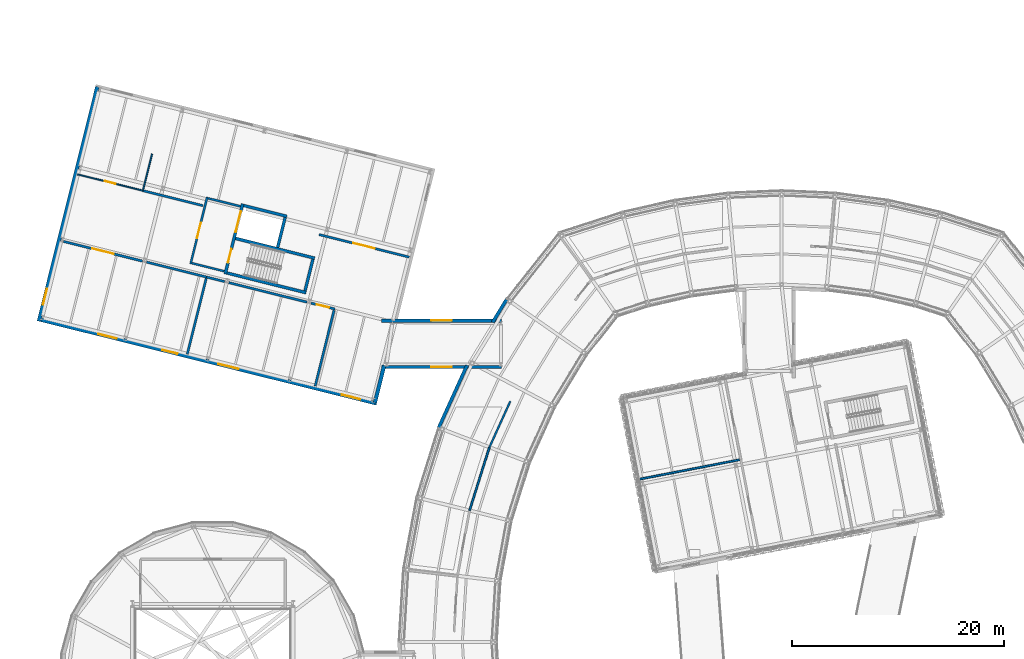
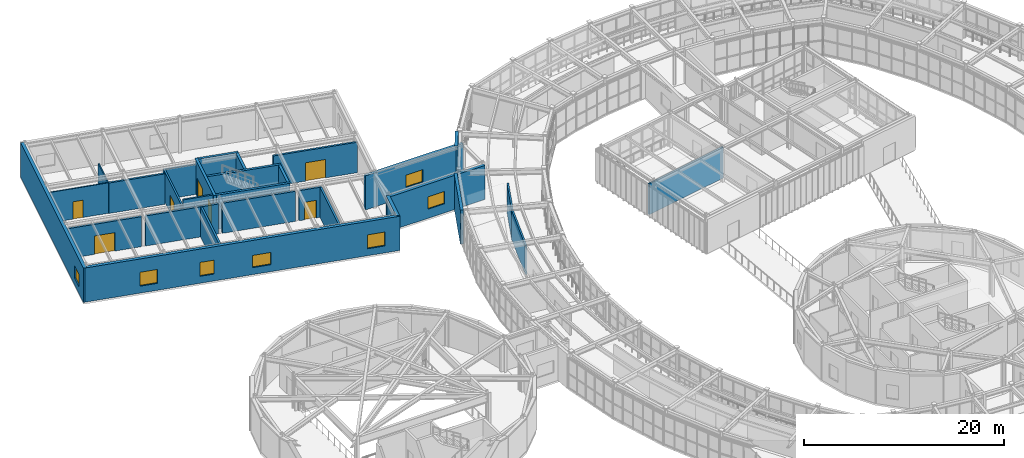
# One storey, part 79 of 103: 30 walls, 7 doors, 7 windows, 14 openings.
"""IFC4 building model written with IfcOpenShell, lengths in metres."""

from ifc_helpers import new_model, si_unit, direction, frame, frame_2d, origin, place, context, subcontext, project, spatial, rectangle, extrude, material, layer, layer_set, type_object, element, fill, save


model = new_model("IFC4")

# Units and contexts
model_context = context("Model", 3, precision=1e-05, world=origin(), true_north=direction((0.0, 1.0)))
body_context = subcontext(model_context, "Body", "Model", "MODEL_VIEW")
ifc_project = project(units=[si_unit("LENGTHUNIT", "METRE"), si_unit("AREAUNIT", "SQUARE_METRE"), si_unit("VOLUMEUNIT", "CUBIC_METRE"), si_unit("PLANEANGLEUNIT", "RADIAN"), si_unit("MASSUNIT", "GRAM", prefix="KILO")], contexts=[model_context])

# Site, building, storey
site_placement = place(None, origin())
site = spatial("IfcSite", under=ifc_project, at=site_placement, CompositionType="ELEMENT")
building_placement = place(site_placement, origin())
building = spatial("IfcBuilding", under=site, at=building_placement, Name="Varnklinge Art Gallery", CompositionType="ELEMENT")
storey_placement = place(building_placement, frame((0.0, 0.0, 5.10009765625)))
storey = spatial("IfcBuildingStorey", under=building, at=storey_placement, Name="L01", CompositionType="ELEMENT", Elevation=5.10009765625)

# Walls
ifc_material_1 = material(Name="Precast concrete C40/50", Category="concrete")
ifc_layer_1 = layer(ifc_material_1, 0.320068359375)
ifc_layer_set_1 = layer_set([ifc_layer_1], Name="Precast concrete C40/50")
wall_type_1 = type_object("IfcWallType", Name="EW-32", PredefinedType="SOLIDWALL", material=ifc_layer_set_1)
wall_1_placement = place(storey_placement, frame((48.223388671875, 85.179931640625, 0.0), z_axis=(0.0, 0.0, 1.0), x_axis=(0.520931481082, 0.853598495792, 0.0)))
element("IfcWall", 1, at=wall_1_placement, inside=storey, type_object=wall_type_1, Name="EW-V2O-L01-K21-1", PredefinedType="SOLIDWALL", context=body_context, shape_type="SweptSolid", body=[
    extrude(rectangle(XDim=2.571533203125, YDim=0.320068359375, at=frame_2d((1.28564453125, 0.0))), origin(), (0.0, 0.0, 1.0), 4.179931640625),
])
wall_2_placement = place(storey_placement, frame((43.126708984375, 75.22216796875, 0.0), z_axis=(0.0, 0.0, 1.0), x_axis=(0.41336840626, 0.910563869647, 0.0)))
element("IfcWall", 2, at=wall_2_placement, inside=storey, type_object=wall_type_1, Name="EW-V2O-L01-K22-1", PredefinedType="SOLIDWALL", context=body_context, shape_type="SweptSolid", body=[
    extrude(rectangle(XDim=6.477294921875, YDim=0.320068359375, at=frame_2d((3.23876953125, 0.0))), origin(), (0.0, 0.0, 1.0), 4.179931640625),
])

# Wall, opening, window
wall_3_placement = place(storey_placement, frame((49.050048828125, 80.9599609375, 0.0), z_axis=(0.0, 0.0, 1.0), x_axis=(-1.0, 0.0, 0.0)))
wall_3 = element("IfcWall", 3, at=wall_3_placement, inside=storey, type_object=wall_type_1, Name="L01 Gallery Link Wall EW-LNK-V5-L01-S", PredefinedType="SOLIDWALL", context=body_context, shape_type="SweptSolid", body=[
    extrude(rectangle(XDim=11.31201171875, YDim=0.320068359375, at=frame_2d((5.656005859375, 0.0))), origin(), (0.0, 0.0, 1.0), 4.169921875),
])
opening_1_placement = place(wall_3_placement, frame((4.680908203125, 0.0, 1.1201171875)))
opening_1 = element("IfcOpeningElement", 4, at=opening_1_placement, cuts=wall_3, Name="Opening WN-05", PredefinedType="OPENING", context=body_context, shape_type="SweptSolid", body=[
    extrude(rectangle(XDim=1.949951171875, YDim=1.5, at=frame_2d((0.97509765625, 0.75))), frame((0.0, 0.170166015625, 0.0), z_axis=(0.0, -1.0, 0.0), x_axis=(1.0, 0.0, 0.0)), (0.0, 0.0, 1.0), 0.340087890625),
])
ifc_material_2 = material(Name="Insulated Low-E Triple Glazing", Category="glass")
window_type_1 = type_object("IfcWindowType", Name="WN-05", PartitioningType="SINGLE_PANEL", PredefinedType="WINDOW", material=ifc_material_2)
window_1_placement = place(opening_1_placement, origin())
window_1 = element("IfcWindow", 5, at=window_1_placement, inside=storey, type_object=window_type_1, Name="L01 Window WIN-L01-231", OverallHeight=1.5, OverallWidth=1.949951171875, PartitioningType="SINGLE_PANEL", PredefinedType="WINDOW", context=body_context, shape_type="SweptSolid", body=[
    extrude(rectangle(XDim=1.949951171875, YDim=1.5, at=frame_2d((0.97509765625, 0.75))), frame((0.0, 0.030029296875, 0.0), z_axis=(0.0, -1.0, 0.0), x_axis=(1.0, 0.0, 0.0)), (0.0, 0.0, 1.0), 0.06005859375),
])
fill(opening_1, window_1)

wall_4_placement = place(storey_placement, frame((37.738037109375, 85.340087890625, 0.0), z_axis=(0.0, 0.0, 1.0), x_axis=(1.0, 0.0, 0.0)))
wall_4 = element("IfcWall", 6, at=wall_4_placement, inside=storey, type_object=wall_type_1, Name="L01 Gallery Link Wall EW-LNK-V5-L01-N", PredefinedType="SOLIDWALL", context=body_context, shape_type="SweptSolid", body=[
    extrude(rectangle(XDim=11.31201171875, YDim=0.320068359375, at=frame_2d((5.656005859375, 0.0))), origin(), (0.0, 0.0, 1.0), 4.169921875),
])
opening_2_placement = place(wall_4_placement, frame((4.680908203125, 0.0, 1.1201171875)))
opening_2 = element("IfcOpeningElement", 7, at=opening_2_placement, cuts=wall_4, Name="Opening WN-05", PredefinedType="OPENING", context=body_context, shape_type="SweptSolid", body=[
    extrude(rectangle(XDim=1.949951171875, YDim=1.5, at=frame_2d((0.97509765625, 0.75))), frame((0.0, 0.170166015625, 0.0), z_axis=(0.0, -1.0, 0.0), x_axis=(1.0, 0.0, 0.0)), (0.0, 0.0, 1.0), 0.340087890625),
])
window_2_placement = place(opening_2_placement, origin())
window_2 = element("IfcWindow", 8, at=window_2_placement, inside=storey, type_object=window_type_1, Name="L01 Window WIN-L01-232", OverallHeight=1.5, OverallWidth=1.949951171875, PartitioningType="SINGLE_PANEL", PredefinedType="WINDOW", context=body_context, shape_type="SweptSolid", body=[
    extrude(rectangle(XDim=1.949951171875, YDim=1.5, at=frame_2d((0.97509765625, 0.75))), frame((0.0, 0.030029296875, 0.0), z_axis=(0.0, -1.0, 0.0), x_axis=(1.0, 0.0, 0.0)), (0.0, 0.0, 1.0), 0.06005859375),
])
fill(opening_2, window_2)

ifc_material_3 = material(Name="Concrete C40/50", Category="concrete")
ifc_layer_2 = layer(ifc_material_3, 0.360107421875)
ifc_layer_set_2 = layer_set([ifc_layer_2], Name="Concrete C40/50")
wall_type_2 = type_object("IfcWallType", Name="EW-36", PredefinedType="SOLIDWALL", material=ifc_layer_set_2)
wall_5_placement = place(storey_placement, frame((5.3828125, 85.289794921875, 0.0), z_axis=(0.0, 0.0, 1.0), x_axis=(0.241916316577, 0.970297117266, 0.0)))
wall_5 = element("IfcWall", 9, at=wall_5_placement, inside=storey, type_object=wall_type_2, Name="L01 Exterior Wall EW-V5-L01-01", PredefinedType="SOLIDWALL", context=body_context, shape_type="SweptSolid", body=[
    extrude(rectangle(XDim=22.81982421875, YDim=0.360107421875, at=frame_2d((11.409912109375, 0.0))), origin(), (0.0, 0.0, 1.0), 4.179931640625),
])
opening_3_placement = place(wall_5_placement, frame((1.60009765625, 0.0, 0.85009765625)))
opening_3 = element("IfcOpeningElement", 10, at=opening_3_placement, cuts=wall_5, Name="Opening WN-03", PredefinedType="OPENING", context=body_context, shape_type="SweptSolid", body=[
    extrude(rectangle(XDim=1.550048828125, YDim=1.5, at=frame_2d((0.77490234375, 0.75))), frame((0.0, 0.190185546875, 0.0), z_axis=(0.0, -1.0, 0.0), x_axis=(1.0, 0.0, 0.0)), (0.0, 0.0, 1.0), 0.380126953125),
])
ifc_material_4 = material(Name="Insulated Low-E Triple Glazing", Category="glass")
window_type_2 = type_object("IfcWindowType", Name="WN-03", PartitioningType="SINGLE_PANEL", PredefinedType="WINDOW", material=ifc_material_4)
window_3_placement = place(opening_3_placement, origin())
window_3 = element("IfcWindow", 11, at=window_3_placement, inside=storey, type_object=window_type_2, Name="L01 Window WIN-L01-129", OverallHeight=1.5, OverallWidth=1.550048828125, PartitioningType="SINGLE_PANEL", PredefinedType="WINDOW", context=body_context, shape_type="SweptSolid", body=[
    extrude(rectangle(XDim=1.550048828125, YDim=1.5, at=frame_2d((0.77490234375, 0.75))), frame((0.0, 0.030029296875, 0.0), z_axis=(0.0, -1.0, 0.0), x_axis=(1.0, 0.0, 0.0)), (0.0, 0.0, 1.0), 0.06005859375),
])
fill(opening_3, window_3)

# Wall
wall_6_placement = place(storey_placement, frame((37.982421875, 81.1201171875, 0.0), z_axis=(0.0, 0.0, 1.0), x_axis=(-0.241954977531, -0.970287477425, 0.0)))
element("IfcWall", 12, at=wall_6_placement, inside=storey, type_object=wall_type_2, Name="L01 Exterior Wall EW-V5-L01-04", PredefinedType="SOLIDWALL", context=body_context, shape_type="SweptSolid", body=[
    extrude(rectangle(XDim=3.660888671875, YDim=0.360107421875, at=frame_2d((1.83056640625, 0.0))), origin(), (0.0, 0.0, 1.0), 4.179931640625),
])

# Wall, openings, windows
wall_7_placement = place(storey_placement, frame((37.271484375, 77.524658203125, 0.0), z_axis=(0.0, 0.0, 1.0), x_axis=(-0.970297203556, 0.241915970475, 0.0)))
wall_7 = element("IfcWall", 13, at=wall_7_placement, inside=storey, type_object=wall_type_2, Name="L01 Exterior Wall EW-V5-L01-05", PredefinedType="SOLIDWALL", context=body_context, shape_type="SweptSolid", body=[
    extrude(rectangle(XDim=32.820068359375, YDim=0.360107421875, at=frame_2d((16.41015625, 0.0))), origin(), (0.0, 0.0, 1.0), 4.179931640625),
])
opening_4_placement = place(wall_7_placement, frame((1.60009765625, 0.0, 0.85009765625)))
opening_4 = element("IfcOpeningElement", 14, at=opening_4_placement, cuts=wall_7, Name="Opening WN-11", PredefinedType="OPENING", context=body_context, shape_type="SweptSolid", body=[
    extrude(rectangle(XDim=1.800048828125, YDim=1.699951171875, at=frame_2d((0.89990234375, 0.85009765625))), frame((0.0, 0.190185546875, 0.0), z_axis=(0.0, -1.0, 0.0), x_axis=(1.0, 0.0, 0.0)), (0.0, 0.0, 1.0), 0.380126953125),
])
opening_5_placement = place(wall_7_placement, frame((13.447998046875, 0.0, 0.85009765625)))
opening_5 = element("IfcOpeningElement", 15, at=opening_5_placement, cuts=wall_7, Name="Opening WN-05", PredefinedType="OPENING", context=body_context, shape_type="SweptSolid", body=[
    extrude(rectangle(XDim=1.949951171875, YDim=1.5, at=frame_2d((0.97509765625, 0.75))), frame((0.0, 0.190185546875, 0.0), z_axis=(0.0, -1.0, 0.0), x_axis=(1.0, 0.0, 0.0)), (0.0, 0.0, 1.0), 0.380126953125),
])
opening_6_placement = place(wall_7_placement, frame((19.3720703125, 0.0, 0.85009765625)))
opening_6 = element("IfcOpeningElement", 16, at=opening_6_placement, cuts=wall_7, Name="Opening WN-10", PredefinedType="OPENING", context=body_context, shape_type="SweptSolid", body=[
    extrude(rectangle(XDim=1.5, YDim=1.699951171875, at=frame_2d((0.75, 0.85009765625))), frame((0.0, 0.190185546875, 0.0), z_axis=(0.0, -1.0, 0.0), x_axis=(1.0, 0.0, 0.0)), (0.0, 0.0, 1.0), 0.380126953125),
])
opening_7_placement = place(wall_7_placement, frame((25.2958984375, 0.0, 0.85009765625)))
opening_7 = element("IfcOpeningElement", 17, at=opening_7_placement, cuts=wall_7, Name="Opening WN-11", PredefinedType="OPENING", context=body_context, shape_type="SweptSolid", body=[
    extrude(rectangle(XDim=1.800048828125, YDim=1.699951171875, at=frame_2d((0.89990234375, 0.85009765625))), frame((0.0, 0.190185546875, 0.0), z_axis=(0.0, -1.0, 0.0), x_axis=(1.0, 0.0, 0.0)), (0.0, 0.0, 1.0), 0.380126953125),
])
window_4_placement = place(opening_5_placement, origin())
window_4 = element("IfcWindow", 18, at=window_4_placement, inside=storey, type_object=window_type_1, Name="L01 Window WIN-L01-136", OverallHeight=1.5, OverallWidth=1.949951171875, PartitioningType="SINGLE_PANEL", PredefinedType="WINDOW", context=body_context, shape_type="SweptSolid", body=[
    extrude(rectangle(XDim=1.949951171875, YDim=1.5, at=frame_2d((0.97509765625, 0.75))), frame((0.0, 0.030029296875, 0.0), z_axis=(0.0, -1.0, 0.0), x_axis=(1.0, 0.0, 0.0)), (0.0, 0.0, 1.0), 0.06005859375),
])
fill(opening_5, window_4)
ifc_material_5 = material(Name="Insulated Low-E Triple Glazing", Category="glass")
window_type_3 = type_object("IfcWindowType", Name="WN-10", PartitioningType="SINGLE_PANEL", PredefinedType="WINDOW", material=ifc_material_5)
window_5_placement = place(opening_6_placement, origin())
window_5 = element("IfcWindow", 19, at=window_5_placement, inside=storey, type_object=window_type_3, Name="L01 Window WIN-L01-137", OverallHeight=1.699951171875, OverallWidth=1.5, PartitioningType="SINGLE_PANEL", PredefinedType="WINDOW", context=body_context, shape_type="SweptSolid", body=[
    extrude(rectangle(XDim=1.5, YDim=1.699951171875, at=frame_2d((0.75, 0.85009765625))), frame((0.0, 0.030029296875, 0.0), z_axis=(0.0, -1.0, 0.0), x_axis=(1.0, 0.0, 0.0)), (0.0, 0.0, 1.0), 0.06005859375),
])
fill(opening_6, window_5)
ifc_material_6 = material(Name="Insulated Low-E Triple Glazing", Category="glass")
window_type_4 = type_object("IfcWindowType", Name="WN-11", PartitioningType="SINGLE_PANEL", PredefinedType="WINDOW", material=ifc_material_6)
window_6_placement = place(opening_4_placement, origin())
window_6 = element("IfcWindow", 20, at=window_6_placement, inside=storey, type_object=window_type_4, Name="L01 Window WIN-L01-135", OverallHeight=1.699951171875, OverallWidth=1.800048828125, PartitioningType="SINGLE_PANEL", PredefinedType="WINDOW", context=body_context, shape_type="SweptSolid", body=[
    extrude(rectangle(XDim=1.800048828125, YDim=1.699951171875, at=frame_2d((0.89990234375, 0.85009765625))), frame((0.0, 0.030029296875, 0.0), z_axis=(0.0, -1.0, 0.0), x_axis=(1.0, 0.0, 0.0)), (0.0, 0.0, 1.0), 0.06005859375),
])
fill(opening_4, window_6)
window_7_placement = place(opening_7_placement, origin())
window_7 = element("IfcWindow", 21, at=window_7_placement, inside=storey, type_object=window_type_4, Name="L01 Window WIN-L01-138", OverallHeight=1.699951171875, OverallWidth=1.800048828125, PartitioningType="SINGLE_PANEL", PredefinedType="WINDOW", context=body_context, shape_type="SweptSolid", body=[
    extrude(rectangle(XDim=1.800048828125, YDim=1.699951171875, at=frame_2d((0.89990234375, 0.85009765625))), frame((0.0, 0.030029296875, 0.0), z_axis=(0.0, -1.0, 0.0), x_axis=(1.0, 0.0, 0.0)), (0.0, 0.0, 1.0), 0.06005859375),
])
fill(opening_7, window_7)

# Wall, opening, door
ifc_material_7 = material(Name="Gypsum Board Partition", Category="gypsum")
ifc_layer_3 = layer(ifc_material_7, 0.1201171875)
ifc_layer_set_3 = layer_set([ifc_layer_3], Name="Gypsum Board Partition")
wall_type_3 = type_object("IfcWallType", Name="IW-12", PredefinedType="PARTITIONING", material=ifc_layer_set_3)
wall_8_placement = place(storey_placement, frame((9.028076171875, 99.149658203125, 0.0), z_axis=(0.0, 0.0, 1.0), x_axis=(0.97029571252, -0.241921950774, 0.0)))
wall_8 = element("IfcWall", 22, at=wall_8_placement, inside=storey, type_object=wall_type_3, Name="L01 Partition Wall IW-L01-0219", PredefinedType="PARTITIONING", context=body_context, shape_type="SweptSolid", body=[
    extrude(rectangle(XDim=6.365966796875, YDim=0.1201171875, at=frame_2d((3.18310546875, 0.0))), origin(), (0.0, 0.0, 1.0), 3.719970703125),
])
opening_8_placement = place(wall_8_placement, frame((2.673095703125, 0.0, 0.0)))
opening_8 = element("IfcOpeningElement", 23, at=opening_8_placement, cuts=wall_8, Name="Opening D-L01-206", PredefinedType="OPENING", context=body_context, shape_type="SweptSolid", body=[
    extrude(rectangle(XDim=1.02001953125, YDim=2.1201171875, at=frame_2d((0.510009765625, 1.06005859375))), frame((0.0, 0.070068359375, 0.0), z_axis=(0.0, -1.0, 0.0), x_axis=(1.0, 0.0, 0.0)), (0.0, 0.0, 1.0), 0.14013671875),
])
ifc_material_8 = material(Name="Oak Timber Leaf", Category="wood")
door_type_1 = type_object("IfcDoorType", Name="ID-03", OperationType="SINGLE_SWING_LEFT", PredefinedType="DOOR", material=ifc_material_8)
door_1_placement = place(opening_8_placement, origin())
door_1 = element("IfcDoor", 24, at=door_1_placement, inside=storey, type_object=door_type_1, Name="L01 L01 Staff Accessible WC Door D-L01-206", OperationType="SINGLE_SWING_RIGHT", OverallHeight=2.1201171875, OverallWidth=1.02001953125, PredefinedType="DOOR", context=body_context, shape_type="SweptSolid", body=[
    extrude(rectangle(XDim=1.02001953125, YDim=2.1201171875, at=frame_2d((0.510009765625, 1.06005859375))), frame((0.0, 0.02490234375, 0.0), z_axis=(0.0, -1.0, 0.0), x_axis=(1.0, 0.0, 0.0)), (0.0, 0.0, 1.0), 0.050048828125),
])
fill(opening_8, door_1)

# Walls
wall_9_placement = place(storey_placement, frame((16.068603515625, 101.073486328125, 0.0), z_axis=(0.0, 0.0, 1.0), x_axis=(-0.241976747044, -0.970282048628, 0.0)))
element("IfcWall", 25, at=wall_9_placement, inside=storey, type_object=wall_type_3, Name="L01 Partition Wall IW-L01-0254", PredefinedType="PARTITIONING", context=body_context, shape_type="SweptSolid", body=[
    extrude(rectangle(XDim=3.494873046875, YDim=0.1201171875, at=frame_2d((1.74755859375, 0.0))), origin(), (0.0, 0.0, 1.0), 3.669921875),
])
ifc_material_9 = material(Name="Gypsum Board Partition", Category="gypsum")
ifc_layer_4 = layer(ifc_material_9, 0.179931640625)
ifc_layer_set_4 = layer_set([ifc_layer_4], Name="Gypsum Board Partition")
wall_type_4 = type_object("IfcWallType", Name="IW-18", PredefinedType="PARTITIONING", material=ifc_layer_set_4)
wall_10_placement = place(storey_placement, frame((46.04248046875, 67.41455078125, 0.0), z_axis=(0.0, 0.0, 1.0), x_axis=(0.299731275576, 0.954023669749, 0.0)))
element("IfcWall", 26, at=wall_10_placement, inside=storey, type_object=wall_type_4, Name="L01 Partition Wall IW-L01-0188", PredefinedType="PARTITIONING", context=body_context, shape_type="SweptSolid", body=[
    extrude(rectangle(XDim=6.260498046875, YDim=0.179931640625, at=frame_2d((3.13037109375, 0.0))), origin(), (0.0, 0.0, 1.0), 3.56982421875),
])
wall_11_placement = place(storey_placement, frame((47.9189453125, 73.38720703125, 0.0), z_axis=(0.0, 0.0, 1.0), x_axis=(0.413359365272, 0.910567973927, 0.0)))
element("IfcWall", 27, at=wall_11_placement, inside=storey, type_object=wall_type_4, Name="L01 Partition Wall IW-L01-0189", PredefinedType="PARTITIONING", context=body_context, shape_type="SweptSolid", body=[
    extrude(rectangle(XDim=4.769287109375, YDim=0.179931640625, at=frame_2d((2.384765625, 0.0))), origin(), (0.0, 0.0, 1.0), 3.56982421875),
])
wall_12_placement = place(storey_placement, frame((71.547607421875, 72.21044921875, 0.0), z_axis=(0.0, 0.0, 1.0), x_axis=(-0.981627297685, -0.190808407676, 0.0)))
element("IfcWall", 28, at=wall_12_placement, inside=storey, type_object=wall_type_4, Name="L01 Partition Wall IW-L01-0253", PredefinedType="PARTITIONING", context=body_context, shape_type="SweptSolid", body=[
    extrude(rectangle(XDim=9.815185546875, YDim=0.179931640625, at=frame_2d((4.90771484375, 0.0))), origin(), (0.0, 0.0, 1.0), 3.789794921875),
])
ifc_material_10 = material(Name="Concrete C40/50", Category="concrete")
ifc_layer_5 = layer(ifc_material_10, 0.199951171875)
ifc_layer_set_5 = layer_set([ifc_layer_5], Name="Concrete C40/50")
wall_type_5 = type_object("IfcWallType", Name="IW-20", PredefinedType="PARTITIONING", material=ifc_layer_set_5)
wall_13_placement = place(storey_placement, frame((19.824462890625, 90.770263671875, 0.0), z_axis=(0.0, 0.0, 1.0), x_axis=(0.970306396763, -0.241879094592, 0.0)))
element("IfcWall", 29, at=wall_13_placement, inside=storey, type_object=wall_type_5, Name="L01 Core C4 Lobby South Wall", PredefinedType="PARTITIONING", context=body_context, shape_type="SweptSolid", body=[
    extrude(rectangle(XDim=3.150146484375, YDim=0.199951171875, at=frame_2d((1.5751953125, 0.0))), origin(), (0.0, 0.0, 1.0), 4.179931640625),
])
wall_14_placement = place(storey_placement, frame((24.407470703125, 96.130859375, 0.0), z_axis=(0.0, 0.0, 1.0), x_axis=(-0.970301862046, 0.241897285042, 0.0)))
element("IfcWall", 30, at=wall_14_placement, inside=storey, type_object=wall_type_5, Name="L01 Core C4 Lobby North Wall", PredefinedType="PARTITIONING", context=body_context, shape_type="SweptSolid", body=[
    extrude(rectangle(XDim=3.14990234375, YDim=0.199951171875, at=frame_2d((1.574951171875, 0.0))), origin(), (0.0, 0.0, 1.0), 3.669921875),
])

# Wall, opening, door
wall_15_placement = place(storey_placement, frame((19.703369140625, 90.697509765625, 0.0), z_axis=(0.0, 0.0, 1.0), x_axis=(0.24192671796, 0.970294523914, 0.0)))
wall_15 = element("IfcWall", 31, at=wall_15_placement, inside=storey, type_object=wall_type_5, Name="L01 Core C4 Lobby Corridor Wall", PredefinedType="PARTITIONING", context=body_context, shape_type="SweptSolid", body=[
    extrude(rectangle(XDim=6.510009765625, YDim=0.199951171875, at=frame_2d((3.2548828125, 0.0))), origin(), (0.0, 0.0, 1.0), 3.669921875),
])
opening_9_placement = place(wall_15_placement, frame((2.514892578125, 0.0, 0.0)))
opening_9 = element("IfcOpeningElement", 32, at=opening_9_placement, cuts=wall_15, Name="Opening D-L01-069", PredefinedType="OPENING", context=body_context, shape_type="SweptSolid", body=[
    extrude(rectangle(XDim=1.47998046875, YDim=2.14990234375, at=frame_2d((0.739990234375, 1.074951171875))), frame((0.0, 0.110107421875, 0.0), z_axis=(0.0, -1.0, 0.0), x_axis=(1.0, 0.0, 0.0)), (0.0, 0.0, 1.0), 0.219970703125),
])
ifc_material_11 = material(Name="Galvanised Fire-Rated Steel", Category="steel")
door_type_2 = type_object("IfcDoorType", Name="ID-LB1", OperationType="DOUBLE_DOOR_SINGLE_SWING", PredefinedType="DOOR", material=ifc_material_11)
door_2_placement = place(opening_9_placement, origin())
door_2 = element("IfcDoor", 33, at=door_2_placement, inside=storey, type_object=door_type_2, Name="L01 Core C4 Protected Lobby Door D-L01-069", OperationType="DOUBLE_DOOR_SINGLE_SWING", OverallHeight=2.14990234375, OverallWidth=1.47998046875, PredefinedType="DOOR", context=body_context, shape_type="SweptSolid", body=[
    extrude(rectangle(XDim=1.47998046875, YDim=2.14990234375, at=frame_2d((0.739990234375, 1.074951171875))), frame((0.0, 0.02490234375, 0.0), z_axis=(0.0, -1.0, 0.0), x_axis=(1.0, 0.0, 0.0)), (0.0, 0.0, 1.0), 0.050048828125),
])
fill(opening_9, door_2)

ifc_material_12 = material(Name="Concrete C40/50", Category="concrete")
ifc_layer_6 = layer(ifc_material_12, 0.219970703125)
ifc_layer_set_6 = layer_set([ifc_layer_6], Name="Concrete C40/50")
wall_type_6 = type_object("IfcWallType", Name="IW-22", PredefinedType="PARTITIONING", material=ifc_layer_set_6)
wall_16_placement = place(storey_placement, frame((15.1640625, 90.9619140625, 0.0), z_axis=(0.0, 0.0, 1.0), x_axis=(-0.970289717068, 0.24194599594, 0.0)))
wall_16 = element("IfcWall", 34, at=wall_16_placement, inside=storey, type_object=wall_type_6, Name="L01 Partition Wall IW-L01-0220", PredefinedType="PARTITIONING", context=body_context, shape_type="SweptSolid", body=[
    extrude(rectangle(XDim=7.697265625, YDim=0.219970703125, at=frame_2d((3.8486328125, 0.0))), origin(), (0.0, 0.0, 1.0), 3.669921875),
])
opening_10_placement = place(wall_16_placement, frame((2.798583984375, 0.0, 0.0)))
opening_10 = element("IfcOpeningElement", 35, at=opening_10_placement, cuts=wall_16, Name="Opening D-L01-207", PredefinedType="OPENING", context=body_context, shape_type="SweptSolid", body=[
    extrude(rectangle(XDim=2.10009765625, YDim=2.25, at=frame_2d((1.050048828125, 1.125))), frame((0.0, 0.119873046875, 0.0), z_axis=(0.0, -1.0, 0.0), x_axis=(1.0, 0.0, 0.0)), (0.0, 0.0, 1.0), 0.239990234375),
])
ifc_material_13 = material(Name="Galvanised Fire-Rated Steel", Category="steel")
door_type_3 = type_object("IfcDoorType", Name="ID-10", OperationType="DOUBLE_DOOR_SINGLE_SWING", PredefinedType="DOOR", material=ifc_material_13)
door_3_placement = place(opening_10_placement, origin())
door_3 = element("IfcDoor", 36, at=door_3_placement, inside=storey, type_object=door_type_3, Name="L01 L01 Painting Conservation Studio Door D-L01-207", OperationType="DOUBLE_DOOR_SINGLE_SWING", OverallHeight=2.25, OverallWidth=2.10009765625, PredefinedType="DOOR", context=body_context, shape_type="SweptSolid", body=[
    extrude(rectangle(XDim=2.10009765625, YDim=2.25, at=frame_2d((1.050048828125, 1.125))), frame((0.0, 0.02490234375, 0.0), z_axis=(0.0, -1.0, 0.0), x_axis=(1.0, 0.0, 0.0)), (0.0, 0.0, 1.0), 0.050048828125),
])
fill(opening_10, door_3)

# Walls
wall_17_placement = place(storey_placement, frame((21.21044921875, 89.454345703125, 0.0), z_axis=(0.0, 0.0, 1.0), x_axis=(-0.970292611223, 0.241934389053, 0.0)))
element("IfcWall", 37, at=wall_17_placement, inside=storey, type_object=wall_type_6, Name="L01 Partition Wall IW-L01-0221", PredefinedType="PARTITIONING", context=body_context, shape_type="SweptSolid", body=[
    extrude(rectangle(XDim=5.82861328125, YDim=0.219970703125, at=frame_2d((2.914306640625, 0.0))), origin(), (0.0, 0.0, 1.0), 3.669921875),
])
wall_18_placement = place(storey_placement, frame((30.688720703125, 87.09130859375, 0.0), z_axis=(0.0, 0.0, 1.0), x_axis=(-0.970295427473, 0.241923094029, 0.0)))
element("IfcWall", 38, at=wall_18_placement, inside=storey, type_object=wall_type_6, Name="L01 Partition Wall IW-L01-0222", PredefinedType="PARTITIONING", context=body_context, shape_type="SweptSolid", body=[
    extrude(rectangle(XDim=7.596923828125, YDim=0.219970703125, at=frame_2d((3.79833984375, 0.0))), origin(), (0.0, 0.0, 1.0), 3.669921875),
])

# Wall, opening, door
wall_19_placement = place(storey_placement, frame((33.339111328125, 86.430419921875, 0.0), z_axis=(0.0, 0.0, 1.0), x_axis=(-0.970308784597, 0.241869515512, 0.0)))
wall_19 = element("IfcWall", 39, at=wall_19_placement, inside=storey, type_object=wall_type_6, Name="L01 Partition Wall IW-L01-0223", PredefinedType="PARTITIONING", context=body_context, shape_type="SweptSolid", body=[
    extrude(rectangle(XDim=2.32861328125, YDim=0.219970703125, at=frame_2d((1.164306640625, 0.0))), origin(), (0.0, 0.0, 1.0), 3.669921875),
])
opening_11_placement = place(wall_19_placement, frame((0.544189453125, 0.0, 0.0)))
opening_11 = element("IfcOpeningElement", 40, at=opening_11_placement, cuts=wall_19, Name="Opening D-L01-208", PredefinedType="OPENING", context=body_context, shape_type="SweptSolid", body=[
    extrude(rectangle(XDim=1.239990234375, YDim=2.14990234375, at=frame_2d((0.6201171875, 1.074951171875))), frame((0.0, 0.119873046875, 0.0), z_axis=(0.0, -1.0, 0.0), x_axis=(1.0, 0.0, 0.0)), (0.0, 0.0, 1.0), 0.239990234375),
])
ifc_material_14 = material(Name="Galvanised Fire-Rated Steel", Category="steel")
door_type_4 = type_object("IfcDoorType", Name="ID-06", OperationType="SINGLE_SWING_RIGHT", PredefinedType="DOOR", material=ifc_material_14)
door_4_placement = place(opening_11_placement, origin())
door_4 = element("IfcDoor", 41, at=door_4_placement, inside=storey, type_object=door_type_4, Name="L01 L01 Paper Conservation Studio Door D-L01-208", OperationType="SINGLE_SWING_RIGHT", OverallHeight=2.14990234375, OverallWidth=1.239990234375, PredefinedType="DOOR", context=body_context, shape_type="SweptSolid", body=[
    extrude(rectangle(XDim=1.239990234375, YDim=2.14990234375, at=frame_2d((0.6201171875, 1.074951171875))), frame((0.0, 0.02490234375, 0.0), z_axis=(0.0, -1.0, 0.0), x_axis=(1.0, 0.0, 0.0)), (0.0, 0.0, 1.0), 0.050048828125),
])
fill(opening_11, door_4)

# Wall
wall_20_placement = place(storey_placement, frame((22.926513671875, 89.026611328125, 0.0), z_axis=(0.0, 0.0, 1.0), x_axis=(-0.970312785561, 0.241853464263, 0.0)))
element("IfcWall", 42, at=wall_20_placement, inside=storey, type_object=wall_type_6, Name="L01 Partition Wall IW-L01-0224", PredefinedType="PARTITIONING", context=body_context, shape_type="SweptSolid", body=[
    extrude(rectangle(XDim=1.7685546875, YDim=0.219970703125, at=frame_2d((0.88427734375, 0.0))), origin(), (0.0, 0.0, 1.0), 3.669921875),
])

# Wall, opening, door
wall_21_placement = place(storey_placement, frame((31.832763671875, 93.463623046875, 0.0), z_axis=(0.0, 0.0, 1.0), x_axis=(0.970297884388, -0.241913239719, 0.0)))
wall_21 = element("IfcWall", 43, at=wall_21_placement, inside=storey, type_object=wall_type_6, Name="L01 Partition Wall IW-L01-0225", PredefinedType="PARTITIONING", context=body_context, shape_type="SweptSolid", body=[
    extrude(rectangle(XDim=8.76904296875, YDim=0.219970703125, at=frame_2d((4.384521484375, 0.0))), origin(), (0.0, 0.0, 1.0), 3.719970703125),
])
opening_12_placement = place(wall_21_placement, frame((3.33447265625, 0.0, 0.0)))
opening_12 = element("IfcOpeningElement", 44, at=opening_12_placement, cuts=wall_21, Name="Opening D-L01-209", PredefinedType="OPENING", context=body_context, shape_type="SweptSolid", body=[
    extrude(rectangle(XDim=2.10009765625, YDim=2.25, at=frame_2d((1.050048828125, 1.125))), frame((0.0, 0.119873046875, 0.0), z_axis=(0.0, -1.0, 0.0), x_axis=(1.0, 0.0, 0.0)), (0.0, 0.0, 1.0), 0.239990234375),
])
door_5_placement = place(opening_12_placement, origin())
door_5 = element("IfcDoor", 45, at=door_5_placement, inside=storey, type_object=door_type_3, Name="L01 L01 Sculpture Conservation Studio Door D-L01-209", OperationType="DOUBLE_DOOR_SINGLE_SWING", OverallHeight=2.25, OverallWidth=2.10009765625, PredefinedType="DOOR", context=body_context, shape_type="SweptSolid", body=[
    extrude(rectangle(XDim=2.10009765625, YDim=2.25, at=frame_2d((1.050048828125, 1.125))), frame((0.0, 0.02490234375, 0.0), z_axis=(0.0, -1.0, 0.0), x_axis=(1.0, 0.0, 0.0)), (0.0, 0.0, 1.0), 0.050048828125),
])
fill(opening_12, door_5)

# Walls
wall_22_placement = place(storey_placement, frame((15.204833984375, 97.609619140625, 0.0), z_axis=(0.0, 0.0, 1.0), x_axis=(0.970294852546, -0.241925399911, 0.0)))
element("IfcWall", 46, at=wall_22_placement, inside=storey, type_object=wall_type_6, Name="L01 Partition Wall IW-L01-0226", PredefinedType="PARTITIONING", context=body_context, shape_type="SweptSolid", body=[
    extrude(rectangle(XDim=5.8369140625, YDim=0.219970703125, at=frame_2d((2.91845703125, 0.0))), origin(), (0.0, 0.0, 1.0), 3.719970703125),
])
for number, where, z_axis, x_axis, name in (
    (47, (31.465087890625, 79.161865234375, 0.0), (0.0, 0.0, 1.0), (0.241897367133, 0.97030184158, 0.0), "L01 Partition Wall IW-L01-0227"),
    (48, (21.18017578125, 89.3330078125, 0.0), (0.0, 0.0, 1.0), (-0.241928508958, -0.970294077357, 0.0), "L01 Partition Wall IW-L01-0255"),
):
    element("IfcWall", number, at=place(storey_placement, frame(where, z_axis=z_axis, x_axis=x_axis)), inside=storey, type_object=wall_type_6, Name=name, PredefinedType="PARTITIONING", context=body_context, shape_type="SweptSolid", body=[
        extrude(rectangle(XDim=7.380859375, YDim=0.219970703125, at=frame_2d((3.6904296875, 0.0))), origin(), (0.0, 0.0, 1.0), 3.669921875),
    ])
ifc_material_15 = material(Name="Concrete C40/50", Category="concrete")
ifc_layer_7 = layer(ifc_material_15, 0.280029296875)
ifc_layer_set_7 = layer_set([ifc_layer_7], Name="Concrete C40/50")
wall_type_7 = type_object("IfcWallType", Name="SW-28", PredefinedType="SHEAR", material=ifc_layer_set_7)
wall_23_placement = place(storey_placement, frame((23.13818359375, 89.841064453125, 0.0), z_axis=(0.0, 0.0, 1.0), x_axis=(0.970295246537, -0.24192381972, 0.0)))
element("IfcWall", 49, at=wall_23_placement, inside=storey, type_object=wall_type_7, Name="L01 Core C4 South Shear Wall", PredefinedType="SHEAR", context=body_context, shape_type="SweptSolid", body=[
    extrude(rectangle(XDim=7.699951171875, YDim=0.280029296875, at=frame_2d((3.85009765625, 0.0))), origin(), (0.0, 0.0, 1.0), 4.179931640625),
])
wall_24_placement = place(storey_placement, frame((30.507568359375, 88.14794921875, 0.0), z_axis=(0.0, 0.0, 1.0), x_axis=(0.241920098373, 0.970296174373, 0.0)))
element("IfcWall", 50, at=wall_24_placement, inside=storey, type_object=wall_type_7, Name="L01 Core C4 East Shear Wall", PredefinedType="SHEAR", context=body_context, shape_type="SweptSolid", body=[
    extrude(rectangle(XDim=3.080078125, YDim=0.280029296875, at=frame_2d((1.5400390625, 0.0))), origin(), (0.0, 0.0, 1.0), 4.179931640625),
])
wall_25_placement = place(storey_placement, frame((31.42236328125, 91.238525390625, 0.0), z_axis=(0.0, 0.0, 1.0), x_axis=(-0.970297102167, 0.241916377137, 0.0)))
element("IfcWall", 51, at=wall_25_placement, inside=storey, type_object=wall_type_7, Name="L01 Core C4 Dividing Shear Wall", PredefinedType="SHEAR", context=body_context, shape_type="SweptSolid", body=[
    extrude(rectangle(XDim=7.7001953125, YDim=0.280029296875, at=frame_2d((3.85009765625, 0.0))), origin(), (0.0, 0.0, 1.0), 4.179931640625),
])
wall_26_placement = place(storey_placement, frame((27.92431640625, 92.2548828125, 0.0), z_axis=(0.0, 0.0, 1.0), x_axis=(0.241886356621, 0.970304586447, 0.0)))
element("IfcWall", 52, at=wall_26_placement, inside=storey, type_object=wall_type_7, Name="L01 Core C4 Lift East Shear Wall", PredefinedType="SHEAR", context=body_context, shape_type="SweptSolid", body=[
    extrude(rectangle(XDim=2.919921875, YDim=0.280029296875, at=frame_2d((1.4599609375, 0.0))), origin(), (0.0, 0.0, 1.0), 4.179931640625),
])
wall_27_placement = place(storey_placement, frame((28.80029296875, 95.190185546875, 0.0), z_axis=(0.0, 0.0, 1.0), x_axis=(-0.970292765557, 0.241933770084, 0.0)))
element("IfcWall", 53, at=wall_27_placement, inside=storey, type_object=wall_type_7, Name="L01 Core C4 Lift North Shear Wall", PredefinedType="SHEAR", context=body_context, shape_type="SweptSolid", body=[
    extrude(rectangle(XDim=4.199951171875, YDim=0.280029296875, at=frame_2d((2.10009765625, 0.0))), origin(), (0.0, 0.0, 1.0), 4.179931640625),
])

# Wall, openings, doors
wall_28_placement = place(storey_placement, frame((24.623291015625, 96.3759765625, 0.0), z_axis=(0.0, 0.0, 1.0), x_axis=(-0.241922508616, -0.970295573434, 0.0)))
wall_28 = element("IfcWall", 54, at=wall_28_placement, inside=storey, type_object=wall_type_7, Name="L01 Core C4 Front Shear Wall", PredefinedType="SHEAR", context=body_context, shape_type="SweptSolid", body=[
    extrude(rectangle(XDim=6.840087890625, YDim=0.280029296875, at=frame_2d((3.419921875, 0.0))), origin(), (0.0, 0.0, 1.0), 4.179931640625),
])
opening_13_placement = place(wall_28_placement, frame((0.75, 0.0, 0.0)))
opening_13 = element("IfcOpeningElement", 55, at=opening_13_placement, cuts=wall_28, Name="Opening LD-L01-067", PredefinedType="OPENING", context=body_context, shape_type="SweptSolid", body=[
    extrude(rectangle(XDim=2.0, YDim=2.300048828125, at=frame_2d((1.0, 1.14990234375))), frame((0.0, 0.150146484375, 0.0), z_axis=(0.0, -1.0, 0.0), x_axis=(1.0, 0.0, 0.0)), (0.0, 0.0, 1.0), 0.300048828125),
])
opening_14_placement = place(wall_28_placement, frame((4.39990234375, 0.0, 0.0)))
opening_14 = element("IfcOpeningElement", 56, at=opening_14_placement, cuts=wall_28, Name="Opening D-L01-068", PredefinedType="OPENING", context=body_context, shape_type="SweptSolid", body=[
    extrude(rectangle(XDim=1.320068359375, YDim=2.1201171875, at=frame_2d((0.66015625, 1.06005859375))), frame((0.0, 0.150146484375, 0.0), z_axis=(0.0, -1.0, 0.0), x_axis=(1.0, 0.0, 0.0)), (0.0, 0.0, 1.0), 0.300048828125),
])
ifc_material_16 = material(Name="Galvanised Fire-Rated Steel", Category="steel")
door_type_5 = type_object("IfcDoorType", Name="ID-ST1", OperationType="SINGLE_SWING_LEFT", PredefinedType="DOOR", material=ifc_material_16)
door_6_placement = place(opening_14_placement, origin())
door_6 = element("IfcDoor", 57, at=door_6_placement, inside=storey, type_object=door_type_5, Name="L01 Stair ST-04 Fire Door D-L01-068", OperationType="SINGLE_SWING_LEFT", OverallHeight=2.1201171875, OverallWidth=1.320068359375, PredefinedType="DOOR", context=body_context, shape_type="SweptSolid", body=[
    extrude(rectangle(XDim=1.320068359375, YDim=2.1201171875, at=frame_2d((0.66015625, 1.06005859375))), frame((0.0, 0.02490234375, 0.0), z_axis=(0.0, -1.0, 0.0), x_axis=(1.0, 0.0, 0.0)), (0.0, 0.0, 1.0), 0.050048828125),
])
fill(opening_14, door_6)
ifc_material_17 = material(Name="Anodised Aluminium", Category="aluminium")
door_type_6 = type_object("IfcDoorType", Name="LD-GDS", OperationType="SLIDING_TO_LEFT", PredefinedType="DOOR", material=ifc_material_17)
door_7_placement = place(opening_13_placement, origin())
door_7 = element("IfcDoor", 58, at=door_7_placement, inside=storey, type_object=door_type_6, Name="L01 Goods Lift Sliding Landing Door LD-L01-067", OperationType="SLIDING_TO_LEFT", OverallHeight=2.300048828125, OverallWidth=2.0, PredefinedType="DOOR", context=body_context, shape_type="SweptSolid", body=[
    extrude(rectangle(XDim=2.0, YDim=2.300048828125, at=frame_2d((1.0, 1.14990234375))), frame((0.0, 0.02490234375, 0.0), z_axis=(0.0, -1.0, 0.0), x_axis=(1.0, 0.0, 0.0)), (0.0, 0.0, 1.0), 0.050048828125),
])
fill(opening_13, door_7)

save(model, "model.ifc")
